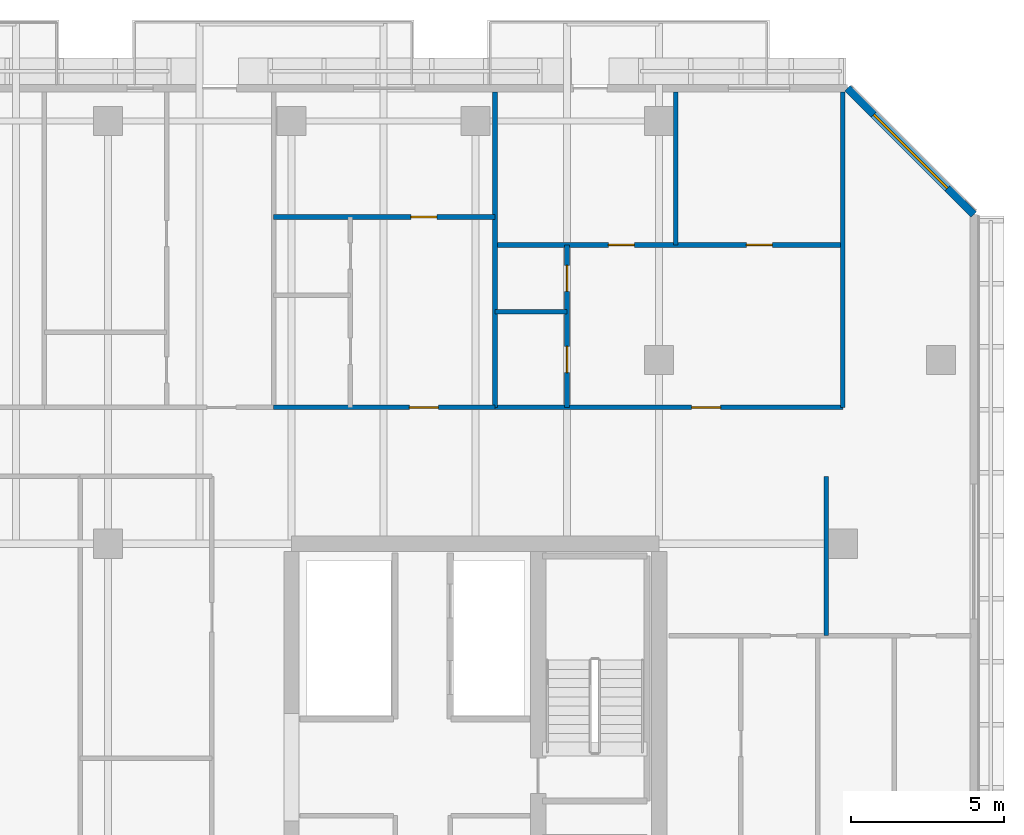
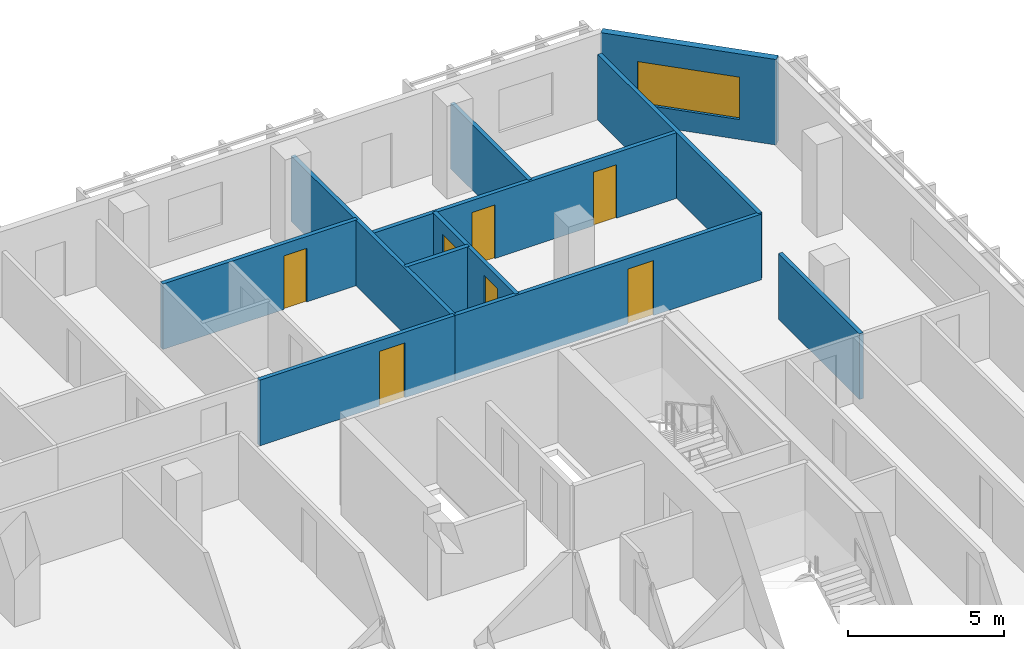
# One storey, part 16 of 23: 11 walls, 7 doors, 1 window, 8 openings.
"""IFC4 building model written with IfcOpenShell, lengths in metres."""

from ifc_helpers import new_model, si_unit, direction, frame, frame_2d, origin, place, context, subcontext, project, spatial, rectangle, extrude, material, layer, layer_set, type_object, element, fill, save


model = new_model("IFC4")

# Units and contexts
model_context = context("Model", 3, precision=1e-05, world=origin(), true_north=direction((0.0, 1.0)))
body_context = subcontext(model_context, "Body", "Model", "MODEL_VIEW")
ifc_project = project(units=[si_unit("LENGTHUNIT", "METRE"), si_unit("AREAUNIT", "SQUARE_METRE"), si_unit("VOLUMEUNIT", "CUBIC_METRE"), si_unit("PLANEANGLEUNIT", "RADIAN"), si_unit("MASSUNIT", "GRAM", prefix="KILO")], contexts=[model_context])

# Site, building, storey
site_placement = place(None, origin())
site = spatial("IfcSite", under=ifc_project, at=site_placement, CompositionType="ELEMENT")
building_placement = place(site_placement, origin())
building = spatial("IfcBuilding", under=site, at=building_placement, Name="Tanjung Sevakor Pilgrim Tower", CompositionType="ELEMENT")
storey_placement = place(building_placement, frame((0.0, 0.0, 119.4599609375)))
storey = spatial("IfcBuildingStorey", under=building, at=storey_placement, Name="L33", CompositionType="ELEMENT", Elevation=119.4599609375)

# Walls
ifc_material_1 = material(Name="Concrete C40/50", Category="concrete")
ifc_layer_1 = layer(ifc_material_1, 0.14990234375)
ifc_layer_set_1 = layer_set([ifc_layer_1], Name="WT-COMP-150")
wall_type_1 = type_object("IfcWallType", Name="WT-COMP-150", PredefinedType="SOLIDWALL", material=ifc_layer_set_1)
for number, where, z_axis, x_axis, name in (
    (1, (96.0, 47.050048828125, 0.0), (0.0, 0.0, 1.0), (0.0, 1.0, 0.0), "L33 Partition IW-L33-087"),
    (2, (84.642822265625, 47.050048828125, 0.0), (0.0, 0.0, 1.0), (0.0, 1.0, 0.0), "L33 Partition IW-L33-096"),
):
    element("IfcWall", number, at=place(storey_placement, frame(where, z_axis=z_axis, x_axis=x_axis)), inside=storey, type_object=wall_type_1, Name=name, PredefinedType="SOLIDWALL", context=body_context, shape_type="SweptSolid", body=[
        extrude(rectangle(XDim=10.300048828125, YDim=0.14990234375, at=frame_2d((5.14990234375, 0.0))), origin(), (0.0, 0.0, 1.0), 2.570068359375),
    ])

# Wall, opening, door
wall_1_placement = place(storey_placement, frame((77.41552734375, 47.050048828125, 0.0), z_axis=(0.0, 0.0, 1.0), x_axis=(1.0, 0.0, 0.0)))
wall_1 = element("IfcWall", 3, at=wall_1_placement, inside=storey, type_object=wall_type_1, Name="L33 Partition IW-L33-100", PredefinedType="SOLIDWALL", context=body_context, shape_type="SweptSolid", body=[
    extrude(rectangle(XDim=7.227294921875, YDim=0.14990234375, at=frame_2d((3.61376953125, 0.0))), origin(), (0.0, 0.0, 1.0), 2.570068359375),
])
opening_1_placement = place(wall_1_placement, frame((4.430908203125, 0.0, 0.0)))
opening_1 = element("IfcOpeningElement", 4, at=opening_1_placement, cuts=wall_1, Name="Opening ID-FD2", PredefinedType="OPENING", context=body_context, shape_type="SweptSolid", body=[
    extrude(rectangle(XDim=0.949951171875, YDim=2.14990234375, at=frame_2d((0.47509765625, 1.074951171875))), frame((0.0, 0.0849609375, 0.0), z_axis=(0.0, -1.0, 0.0), x_axis=(1.0, 0.0, 0.0)), (0.0, 0.0, 1.0), 0.169921875),
])
ifc_material_2 = material(Name="Fire-Rated Timber", Category="wood")
door_type_1 = type_object("IfcDoorType", Name="DT-FIRE-950", OperationType="NOTDEFINED", PredefinedType="DOOR", material=ifc_material_2)
door_1_placement = place(opening_1_placement, origin())
door_1 = element("IfcDoor", 5, at=door_1_placement, inside=storey, type_object=door_type_1, Name="Residence Entrance", OperationType="SINGLE_SWING_RIGHT", OverallHeight=2.14990234375, OverallWidth=0.949951171875, PredefinedType="DOOR", context=body_context, shape_type="SweptSolid", body=[
    extrude(rectangle(XDim=0.949951171875, YDim=2.14990234375, at=frame_2d((0.47509765625, 1.074951171875))), frame((0.0, 0.02490234375, 0.0), z_axis=(0.0, -1.0, 0.0), x_axis=(1.0, 0.0, 0.0)), (0.0, 0.0, 1.0), 0.050048828125),
])
fill(opening_1, door_1)

wall_2_placement = place(storey_placement, frame((84.642822265625, 47.050048828125, 0.0), z_axis=(0.0, 0.0, 1.0), x_axis=(1.0, 0.0, 0.0)))
wall_2 = element("IfcWall", 6, at=wall_2_placement, inside=storey, type_object=wall_type_1, Name="L33 Partition IW-L33-105", PredefinedType="SOLIDWALL", context=body_context, shape_type="SweptSolid", body=[
    extrude(rectangle(XDim=11.357177734375, YDim=0.14990234375, at=frame_2d((5.6787109375, 0.0))), origin(), (0.0, 0.0, 1.0), 2.570068359375),
])
opening_2_placement = place(wall_2_placement, frame((6.418701171875, 0.0, 0.0)))
opening_2 = element("IfcOpeningElement", 7, at=opening_2_placement, cuts=wall_2, Name="Opening ID-FD2", PredefinedType="OPENING", context=body_context, shape_type="SweptSolid", body=[
    extrude(rectangle(XDim=0.949951171875, YDim=2.14990234375, at=frame_2d((0.47509765625, 1.074951171875))), frame((0.0, 0.0849609375, 0.0), z_axis=(0.0, -1.0, 0.0), x_axis=(1.0, 0.0, 0.0)), (0.0, 0.0, 1.0), 0.169921875),
])
door_2_placement = place(opening_2_placement, origin())
door_2 = element("IfcDoor", 8, at=door_2_placement, inside=storey, type_object=door_type_1, Name="Suite Entrance", OperationType="SINGLE_SWING_LEFT", OverallHeight=2.14990234375, OverallWidth=0.949951171875, PredefinedType="DOOR", context=body_context, shape_type="SweptSolid", body=[
    extrude(rectangle(XDim=0.949951171875, YDim=2.14990234375, at=frame_2d((0.47509765625, 1.074951171875))), frame((0.0, 0.02490234375, 0.0), z_axis=(0.0, -1.0, 0.0), x_axis=(1.0, 0.0, 0.0)), (0.0, 0.0, 1.0), 0.050048828125),
])
fill(opening_2, door_2)

# Wall, opening, window
ifc_material_3 = material(Name="Precast concrete C45/55", Category="concrete")
ifc_layer_2 = layer(ifc_material_3, 0.25)
ifc_layer_set_2 = layer_set([ifc_layer_2], Name="WT-EW-STN3")
wall_type_2 = type_object("IfcWallType", Name="WT-EW-STN3", PredefinedType="SOLIDWALL", material=ifc_layer_set_2)
wall_3_placement = place(storey_placement, frame((100.27490234375, 53.34814453125, 0.0), z_axis=(0.0, 0.0, 1.0), x_axis=(-0.70708586489, 0.707127696864, 0.0)))
wall_3 = element("IfcWall", 9, at=wall_3_placement, inside=storey, type_object=wall_type_2, Name="L33 MAIN Sculpted Corner Wall 7", PredefinedType="SOLIDWALL", context=body_context, shape_type="SweptSolid", body=[
    extrude(rectangle(XDim=5.836181640625, YDim=0.25, at=frame_2d((2.91796875, 0.0))), origin(), (0.0, 0.0, 1.0), 3.35009765625),
])
opening_3_placement = place(wall_3_placement, frame((1.218017578125, 0.0, 0.780029296875)))
opening_3 = element("IfcOpeningElement", 10, at=opening_3_placement, cuts=wall_3, Name="Opening WN-CHM-1660", PredefinedType="OPENING", context=body_context, shape_type="SweptSolid", body=[
    extrude(rectangle(XDim=3.39990234375, YDim=1.659912109375, at=frame_2d((1.699951171875, 0.830078125))), frame((0.0, 0.135009765625, 0.0), z_axis=(0.0, -1.0, 0.0), x_axis=(1.0, 0.0, 0.0)), (0.0, 0.0, 1.0), 0.27001953125),
])
ifc_material_4 = material(Name="Thermally Broken Aluminium and Low-E Glass", Category="aluminium")
window_type = type_object("IfcWindowType", Name="WTYP-WN-CHM-1660", PartitioningType="DOUBLE_PANEL_VERTICAL", PredefinedType="WINDOW", material=ifc_material_4)
window_placement = place(opening_3_placement, origin())
window = element("IfcWindow", 11, at=window_placement, inside=storey, type_object=window_type, Name="L33 Facade Window 01", OverallHeight=1.659912109375, OverallWidth=3.39990234375, PartitioningType="SINGLE_PANEL", PredefinedType="WINDOW", context=body_context, shape_type="SweptSolid", body=[
    extrude(rectangle(XDim=3.39990234375, YDim=1.659912109375, at=frame_2d((1.699951171875, 0.830078125))), frame((0.0, 0.030029296875, 0.0), z_axis=(0.0, -1.0, 0.0), x_axis=(1.0, 0.0, 0.0)), (0.0, 0.0, 1.0), 0.06005859375),
])
fill(opening_3, window)

# Wall
ifc_material_5 = material(Name="Gypsum Board Partition", Category="gypsum board")
ifc_layer_3 = layer(ifc_material_5, 0.14990234375)
ifc_layer_set_3 = layer_set([ifc_layer_3], Name="WT-PART-150")
wall_type_3 = type_object("IfcWallType", Name="WT-PART-150", PredefinedType="PARTITIONING", material=ifc_layer_set_3)
wall_4_placement = place(storey_placement, frame((95.452392578125, 39.60009765625, 0.0), z_axis=(0.0, 0.0, 1.0), x_axis=(0.0, 1.0, 0.0)))
element("IfcWall", 12, at=wall_4_placement, inside=storey, type_object=wall_type_3, Name="L33 Partition IW-L33-044", PredefinedType="PARTITIONING", context=body_context, shape_type="SweptSolid", body=[
    extrude(rectangle(XDim=5.199951171875, YDim=0.14990234375, at=frame_2d((2.60009765625, 0.0))), origin(), (0.0, 0.0, 1.0), 2.570068359375),
])

# Wall, opening, door
wall_5_placement = place(storey_placement, frame((77.41552734375, 53.268310546875, 0.0), z_axis=(0.0, 0.0, 1.0), x_axis=(1.0, 0.0, 0.0)))
wall_5 = element("IfcWall", 13, at=wall_5_placement, inside=storey, type_object=wall_type_3, Name="L33 Partition IW-L33-099", PredefinedType="PARTITIONING", context=body_context, shape_type="SweptSolid", body=[
    extrude(rectangle(XDim=7.227294921875, YDim=0.14990234375, at=frame_2d((3.61376953125, 0.0))), origin(), (0.0, 0.0, 1.0), 2.570068359375),
])
opening_4_placement = place(wall_5_placement, frame((4.48095703125, 0.0, 0.0)))
opening_4 = element("IfcOpeningElement", 14, at=opening_4_placement, cuts=wall_5, Name="Opening ID-WC1", PredefinedType="OPENING", context=body_context, shape_type="SweptSolid", body=[
    extrude(rectangle(XDim=0.85009765625, YDim=2.10009765625, at=frame_2d((0.425048828125, 1.050048828125))), frame((0.0, 0.0849609375, 0.0), z_axis=(0.0, -1.0, 0.0), x_axis=(1.0, 0.0, 0.0)), (0.0, 0.0, 1.0), 0.169921875),
])
ifc_material_6 = material(Name="Moisture-Resistant Timber", Category="wood")
door_type_2 = type_object("IfcDoorType", Name="DT-INT-850", OperationType="NOTDEFINED", PredefinedType="DOOR", material=ifc_material_6)
door_3_placement = place(opening_4_placement, origin())
door_3 = element("IfcDoor", 15, at=door_3_placement, inside=storey, type_object=door_type_2, Name="Residence Bedroom Door", OperationType="SINGLE_SWING_LEFT", OverallHeight=2.10009765625, OverallWidth=0.85009765625, PredefinedType="DOOR", context=body_context, shape_type="SweptSolid", body=[
    extrude(rectangle(XDim=0.85009765625, YDim=2.10009765625, at=frame_2d((0.425048828125, 1.050048828125))), frame((0.0, 0.02490234375, 0.0), z_axis=(0.0, -1.0, 0.0), x_axis=(1.0, 0.0, 0.0)), (0.0, 0.0, 1.0), 0.050048828125),
])
fill(opening_4, door_3)

# Wall
wall_6_placement = place(storey_placement, frame((84.642822265625, 50.1796875, 0.0), z_axis=(0.0, 0.0, 1.0), x_axis=(1.0, 0.0, 0.0)))
element("IfcWall", 16, at=wall_6_placement, inside=storey, type_object=wall_type_3, Name="L33 Partition IW-L33-101", PredefinedType="PARTITIONING", context=body_context, shape_type="SweptSolid", body=[
    extrude(rectangle(XDim=2.35009765625, YDim=0.14990234375, at=frame_2d((1.175048828125, 0.0))), origin(), (0.0, 0.0, 1.0), 2.570068359375),
])

# Wall, openings, doors
wall_7_placement = place(storey_placement, frame((86.992919921875, 47.050048828125, 0.0), z_axis=(0.0, 0.0, 1.0), x_axis=(0.0, 1.0, 0.0)))
wall_7 = element("IfcWall", 17, at=wall_7_placement, inside=storey, type_object=wall_type_3, Name="L33 Partition IW-L33-102", PredefinedType="PARTITIONING", context=body_context, shape_type="SweptSolid", body=[
    extrude(rectangle(XDim=5.3046875, YDim=0.14990234375, at=frame_2d((2.65234375, 0.0))), origin(), (0.0, 0.0, 1.0), 2.570068359375),
])
opening_5_placement = place(wall_7_placement, frame((1.139892578125, 0.0, 0.0)))
opening_5 = element("IfcOpeningElement", 18, at=opening_5_placement, cuts=wall_7, Name="Opening ID-WC1", PredefinedType="OPENING", context=body_context, shape_type="SweptSolid", body=[
    extrude(rectangle(XDim=0.85009765625, YDim=2.10009765625, at=frame_2d((0.425048828125, 1.050048828125))), frame((0.0, 0.0849609375, 0.0), z_axis=(0.0, -1.0, 0.0), x_axis=(1.0, 0.0, 0.0)), (0.0, 0.0, 1.0), 0.169921875),
])
opening_6_placement = place(wall_7_placement, frame((3.792236328125, 0.0, 0.0)))
opening_6 = element("IfcOpeningElement", 19, at=opening_6_placement, cuts=wall_7, Name="Opening ID-WC1", PredefinedType="OPENING", context=body_context, shape_type="SweptSolid", body=[
    extrude(rectangle(XDim=0.85009765625, YDim=2.10009765625, at=frame_2d((0.425048828125, 1.050048828125))), frame((0.0, 0.0849609375, 0.0), z_axis=(0.0, -1.0, 0.0), x_axis=(1.0, 0.0, 0.0)), (0.0, 0.0, 1.0), 0.169921875),
])
door_4_placement = place(opening_5_placement, origin())
door_4 = element("IfcDoor", 20, at=door_4_placement, inside=storey, type_object=door_type_2, Name="Suite Kitchenette Door", OperationType="SINGLE_SWING_LEFT", OverallHeight=2.10009765625, OverallWidth=0.85009765625, PredefinedType="DOOR", context=body_context, shape_type="SweptSolid", body=[
    extrude(rectangle(XDim=0.85009765625, YDim=2.10009765625, at=frame_2d((0.425048828125, 1.050048828125))), frame((0.0, 0.02490234375, 0.0), z_axis=(0.0, -1.0, 0.0), x_axis=(1.0, 0.0, 0.0)), (0.0, 0.0, 1.0), 0.050048828125),
])
fill(opening_5, door_4)
door_5_placement = place(opening_6_placement, origin())
door_5 = element("IfcDoor", 21, at=door_5_placement, inside=storey, type_object=door_type_2, Name="Suite Bathroom Door", OperationType="SINGLE_SWING_RIGHT", OverallHeight=2.10009765625, OverallWidth=0.85009765625, PredefinedType="DOOR", context=body_context, shape_type="SweptSolid", body=[
    extrude(rectangle(XDim=0.85009765625, YDim=2.10009765625, at=frame_2d((0.425048828125, 1.050048828125))), frame((0.0, 0.02490234375, 0.0), z_axis=(0.0, -1.0, 0.0), x_axis=(1.0, 0.0, 0.0)), (0.0, 0.0, 1.0), 0.050048828125),
])
fill(opening_6, door_5)

# Wall
wall_8_placement = place(storey_placement, frame((90.548583984375, 52.354736328125, 0.0), z_axis=(0.0, 0.0, 1.0), x_axis=(0.0, 1.0, 0.0)))
element("IfcWall", 22, at=wall_8_placement, inside=storey, type_object=wall_type_3, Name="L33 Partition IW-L33-103", PredefinedType="PARTITIONING", context=body_context, shape_type="SweptSolid", body=[
    extrude(rectangle(XDim=4.995361328125, YDim=0.14990234375, at=frame_2d((2.49755859375, 0.0))), origin(), (0.0, 0.0, 1.0), 2.570068359375),
])

# Wall, openings, doors
wall_9_placement = place(storey_placement, frame((84.642822265625, 52.354736328125, 0.0), z_axis=(0.0, 0.0, 1.0), x_axis=(1.0, 0.0, 0.0)))
wall_9 = element("IfcWall", 23, at=wall_9_placement, inside=storey, type_object=wall_type_3, Name="L33 Partition IW-L33-104", PredefinedType="PARTITIONING", context=body_context, shape_type="SweptSolid", body=[
    extrude(rectangle(XDim=11.357177734375, YDim=0.14990234375, at=frame_2d((5.6787109375, 0.0))), origin(), (0.0, 0.0, 1.0), 2.570068359375),
])
opening_7_placement = place(wall_9_placement, frame((3.702880859375, 0.0, 0.0)))
opening_7 = element("IfcOpeningElement", 24, at=opening_7_placement, cuts=wall_9, Name="Opening ID-WC1", PredefinedType="OPENING", context=body_context, shape_type="SweptSolid", body=[
    extrude(rectangle(XDim=0.85009765625, YDim=2.10009765625, at=frame_2d((0.425048828125, 1.050048828125))), frame((0.0, 0.0849609375, 0.0), z_axis=(0.0, -1.0, 0.0), x_axis=(1.0, 0.0, 0.0)), (0.0, 0.0, 1.0), 0.169921875),
])
opening_8_placement = place(wall_9_placement, frame((8.20654296875, 0.0, 0.0)))
opening_8 = element("IfcOpeningElement", 25, at=opening_8_placement, cuts=wall_9, Name="Opening ID-WC1", PredefinedType="OPENING", context=body_context, shape_type="SweptSolid", body=[
    extrude(rectangle(XDim=0.85009765625, YDim=2.10009765625, at=frame_2d((0.425048828125, 1.050048828125))), frame((0.0, 0.0849609375, 0.0), z_axis=(0.0, -1.0, 0.0), x_axis=(1.0, 0.0, 0.0)), (0.0, 0.0, 1.0), 0.169921875),
])
door_6_placement = place(opening_7_placement, origin())
door_6 = element("IfcDoor", 26, at=door_6_placement, inside=storey, type_object=door_type_2, Name="Suite Bedroom 1 Door", OperationType="SINGLE_SWING_LEFT", OverallHeight=2.10009765625, OverallWidth=0.85009765625, PredefinedType="DOOR", context=body_context, shape_type="SweptSolid", body=[
    extrude(rectangle(XDim=0.85009765625, YDim=2.10009765625, at=frame_2d((0.425048828125, 1.050048828125))), frame((0.0, 0.02490234375, 0.0), z_axis=(0.0, -1.0, 0.0), x_axis=(1.0, 0.0, 0.0)), (0.0, 0.0, 1.0), 0.050048828125),
])
fill(opening_7, door_6)
door_7_placement = place(opening_8_placement, origin())
door_7 = element("IfcDoor", 27, at=door_7_placement, inside=storey, type_object=door_type_2, Name="Suite Bedroom 2 Door", OperationType="SINGLE_SWING_RIGHT", OverallHeight=2.10009765625, OverallWidth=0.85009765625, PredefinedType="DOOR", context=body_context, shape_type="SweptSolid", body=[
    extrude(rectangle(XDim=0.85009765625, YDim=2.10009765625, at=frame_2d((0.425048828125, 1.050048828125))), frame((0.0, 0.02490234375, 0.0), z_axis=(0.0, -1.0, 0.0), x_axis=(1.0, 0.0, 0.0)), (0.0, 0.0, 1.0), 0.050048828125),
])
fill(opening_8, door_7)

save(model, "model.ifc")
